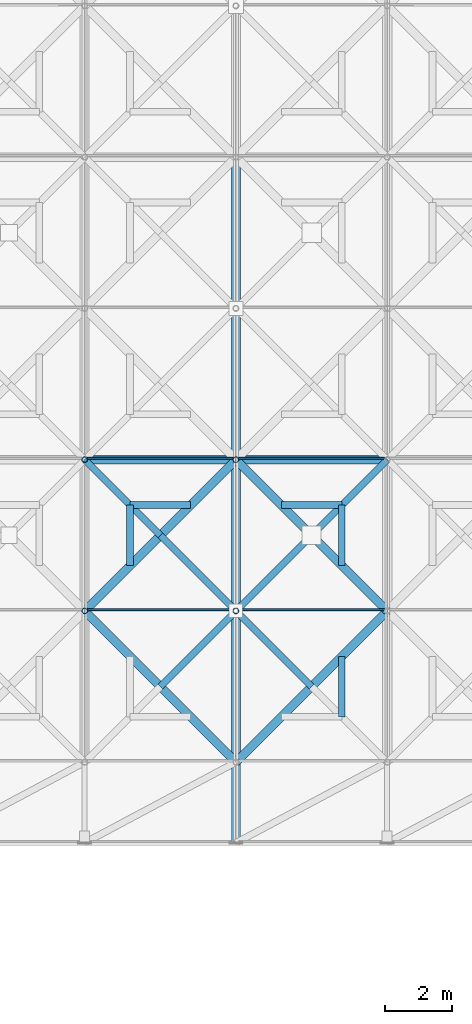
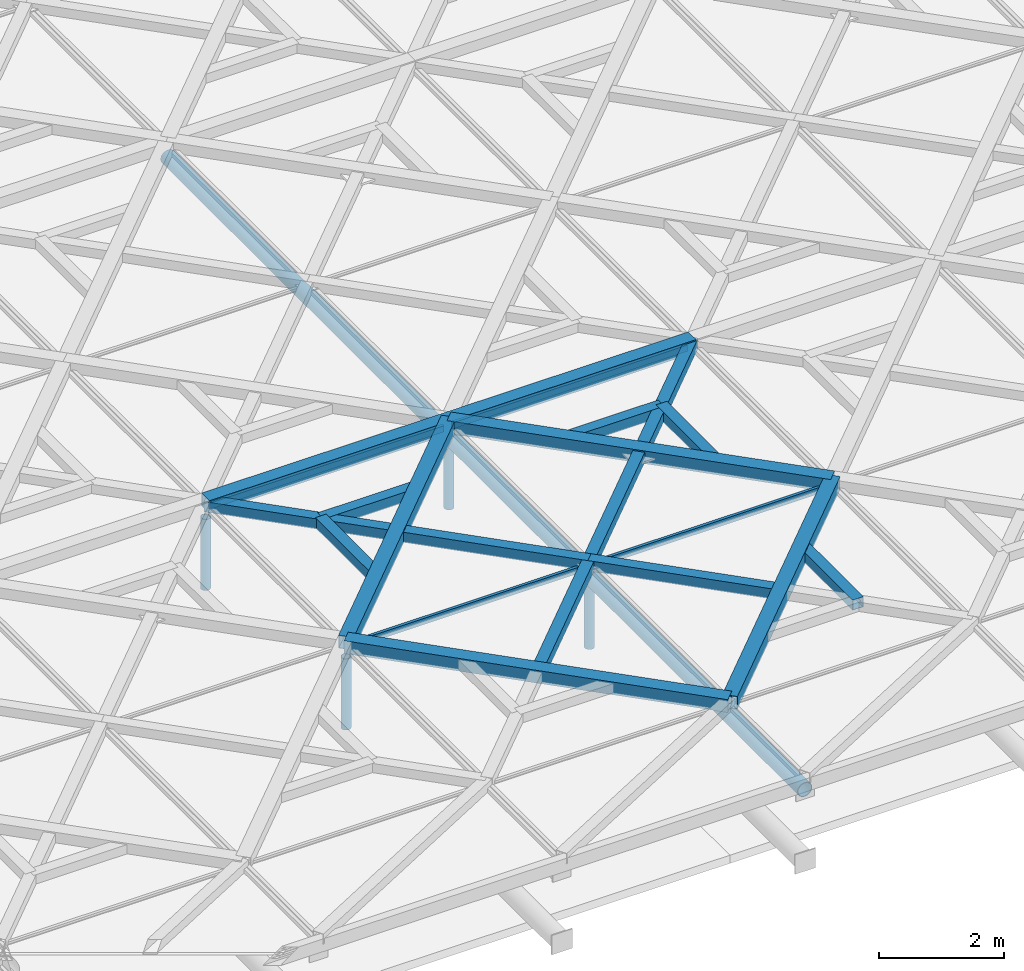
# One storey, part 21 of 80: 24 members, 2 elements without a shape of their own.
"""IFC4 building model written with IfcOpenShell, lengths in metres."""

from ifc_helpers import new_model, si_unit, direction, frame, origin, origin_2d, place, context, subcontext, project, spatial, rectangle, hollow_rectangle, hollow_circle, extrude, material, material_profile, profile_set, type_object, element, aggregate, save


model = new_model("IFC4")

# Units and contexts
model_context = context("Model", 3, precision=1e-05, world=origin(), true_north=direction((0.0, 1.0)))
body_context = subcontext(model_context, "Body", "Model", "MODEL_VIEW")
ifc_project = project(units=[si_unit("LENGTHUNIT", "METRE"), si_unit("AREAUNIT", "SQUARE_METRE"), si_unit("VOLUMEUNIT", "CUBIC_METRE"), si_unit("PLANEANGLEUNIT", "RADIAN"), si_unit("MASSUNIT", "GRAM", prefix="KILO"), si_unit("THERMODYNAMICTEMPERATUREUNIT", "KELVIN"), si_unit("POWERUNIT", "WATT")], contexts=[model_context])

# Site, building, storey
site_placement = place(None, origin())
site = spatial("IfcSite", under=ifc_project, at=site_placement, CompositionType="ELEMENT")
building_placement = place(site_placement, origin())
building = spatial("IfcBuilding", under=site, at=building_placement, Name="Tallowbark Science Centre", CompositionType="ELEMENT")
storey_placement = place(building_placement, frame((0.0, 0.0, 25.949951171875)))
storey = spatial("IfcBuildingStorey", under=building, at=storey_placement, Name="ROOF", CompositionType="ELEMENT", Elevation=25.949951171875)

# Curtain wall, members
ifc_material_1 = material(Name="Blue-Tinted Laminated Low-E Skylight Glass", Category="glass")
curtain_wall_type = type_object("IfcCurtainWallType", Name="CW-SKY-ROOF", PredefinedType="NOTDEFINED", material=ifc_material_1)
curtain_wall_1_placement = place(storey_placement, origin())
curtain_wall_1 = element("IfcCurtainWall", 1, at=curtain_wall_1_placement, inside=storey, type_object=curtain_wall_type, Name="Exhibition Star-Screen Skylight Bay 6", PredefinedType="NOTDEFINED")
ifc_material_2 = material(Name="Anodised Architectural Aluminium Alloy 6063-T6", Category="aluminium")
ifc_material_profile_1 = material_profile(ifc_material_2, rectangle(XDim=0.054931640625, YDim=0.1201171875, at=origin_2d()), Name="ALU55x120")
ifc_profile_set_1 = profile_set([ifc_material_profile_1], Name="Anodised Architectural Aluminium Alloy 6063-T6")
member_type_1 = type_object("IfcMemberType", Name="CWM-SKY-TRN", PredefinedType="USERDEFINED", material=ifc_profile_set_1)
member_1_placement = place(storey_placement, frame((76.580078125, 9.0400390625, 0.35205078125), z_axis=(1.0, 0.0, 0.0), x_axis=(0.0, 1.0, 0.0)))
member_1 = element("IfcMember", 2, at=member_1_placement, type_object=member_type_1, Name="Skylight Bay 6 Transom 3", ObjectType="TRANSOM", PredefinedType="USERDEFINED", context=body_context, shape_type="SweptSolid", body=[
    extrude(rectangle(XDim=0.054931640625, YDim=0.1201171875, at=origin_2d()), origin(), (0.0, 0.0, 1.0), 4.33984375),
])
member_2_placement = place(storey_placement, frame((76.580078125, 13.5400390625, 0.35205078125), z_axis=(1.0, 0.0, 0.0), x_axis=(0.0, 1.0, 0.0)))
member_2 = element("IfcMember", 3, at=member_2_placement, type_object=member_type_1, Name="Skylight Bay 6 Transom 4", ObjectType="TRANSOM", PredefinedType="USERDEFINED", context=body_context, shape_type="SweptSolid", body=[
    extrude(rectangle(XDim=0.054931640625, YDim=0.1201171875, at=origin_2d()), origin(), (0.0, 0.0, 1.0), 4.33984375),
])
aggregate(curtain_wall_1, [member_1, member_2])

curtain_wall_2_placement = place(storey_placement, origin())
curtain_wall_2 = element("IfcCurtainWall", 4, at=curtain_wall_2_placement, inside=storey, type_object=curtain_wall_type, Name="Exhibition Star-Screen Skylight Bay 7", PredefinedType="NOTDEFINED")
member_3_placement = place(storey_placement, frame((81.080078125, 9.0400390625, 0.35205078125), z_axis=(1.0, 0.0, 0.0), x_axis=(0.0, 1.0, 0.0)))
member_3 = element("IfcMember", 5, at=member_3_placement, type_object=member_type_1, Name="Skylight Bay 7 Transom 3", ObjectType="TRANSOM", PredefinedType="USERDEFINED", context=body_context, shape_type="SweptSolid", body=[
    extrude(rectangle(XDim=0.054931640625, YDim=0.1201171875, at=origin_2d()), origin(), (0.0, 0.0, 1.0), 4.33984375),
])
member_4_placement = place(storey_placement, frame((81.080078125, 13.5400390625, 0.35205078125), z_axis=(1.0, 0.0, 0.0), x_axis=(0.0, 1.0, 0.0)))
member_4 = element("IfcMember", 6, at=member_4_placement, type_object=member_type_1, Name="Skylight Bay 7 Transom 4", ObjectType="TRANSOM", PredefinedType="USERDEFINED", context=body_context, shape_type="SweptSolid", body=[
    extrude(rectangle(XDim=0.054931640625, YDim=0.1201171875, at=origin_2d()), origin(), (0.0, 0.0, 1.0), 4.33984375),
])
aggregate(curtain_wall_2, [member_3, member_4])

# Members
ifc_material_3 = material(Name="White Architectural Painted Steel Grade C350L0 (350 MPa)", Category="steel")
ifc_material_profile_2 = material_profile(ifc_material_3, hollow_rectangle(XDim=0.25, YDim=0.25, WallThickness=0.009033203125, at=origin_2d()), Name="250x250x9.0SHS")
ifc_profile_set_2 = profile_set([ifc_material_profile_2], Name="White Architectural Painted Steel Grade C350L0 (350 MPa)")
member_type_2 = type_object("IfcMemberType", Name="SCR-CHD200", PredefinedType="CHORD", material=ifc_profile_set_2)
member_5_placement = place(storey_placement, frame((76.5, 13.5, 0.449951171875), z_axis=(1.0, 0.0, 0.0), x_axis=(0.0, 1.0, 0.0)))
element("IfcMember", 7, at=member_5_placement, inside=storey, type_object=member_type_2, Name="Star Screen Frame Chord TOP-62", PredefinedType="CHORD", context=body_context, shape_type="SweptSolid", body=[
    extrude(hollow_rectangle(XDim=0.25, YDim=0.25, WallThickness=0.009033203125, at=origin_2d()), origin(), (0.0, 0.0, 1.0), 9.0),
])
for number, where, z_axis, x_axis, name in (
    (8, (81.0, 4.5, 0.449951171875), (0.707106781187, 0.707106781187, 0.0), (-0.707106781187, 0.707106781187, 0.0), "Star Screen Octagram Diamond Chord TOP-62-1"),
    (9, (85.5, 9.0, 0.449951171875), (-0.707106781187, 0.707106781187, 0.0), (-0.707106781187, -0.707106781187, 0.0), "Star Screen Octagram Diamond Chord TOP-62-2"),
    (10, (81.0, 13.5, 0.449951171875), (-0.707106781187, -0.707106781187, 0.0), (0.707106781187, -0.707106781187, 0.0), "Star Screen Octagram Diamond Chord TOP-62-3"),
    (11, (76.5, 9.0, 0.449951171875), (0.707106781187, -0.707106781187, 0.0), (0.707106781187, 0.707106781187, 0.0), "Star Screen Octagram Diamond Chord TOP-62-4"),
):
    element("IfcMember", number, at=place(storey_placement, frame(where, z_axis=z_axis, x_axis=x_axis)), inside=storey, type_object=member_type_2, Name=name, PredefinedType="CHORD", context=body_context, shape_type="SweptSolid", body=[
        extrude(hollow_rectangle(XDim=0.25, YDim=0.25, WallThickness=0.009033203125, at=origin_2d()), origin(), (0.0, 0.0, 1.0), 6.364013671875),
    ])
ifc_material_profile_3 = material_profile(ifc_material_3, hollow_rectangle(XDim=0.199951171875, YDim=0.199951171875, WallThickness=0.009033203125, at=origin_2d()), Name="200x200x9.0SHS")
ifc_profile_set_3 = profile_set([ifc_material_profile_3], Name="White Architectural Painted Steel Grade C350L0 (350 MPa)")
member_type_3 = type_object("IfcMemberType", Name="SCR-STAR139", PredefinedType="BRACE", material=ifc_profile_set_3)
member_6_placement = place(storey_placement, frame((78.75, 6.75, 0.449951171875), z_axis=(0.707106781187, 0.707106781187, 0.0), x_axis=(-0.707106781187, 0.707106781187, 0.0)))
element("IfcMember", 12, at=member_6_placement, inside=storey, type_object=member_type_3, Name="Star Screen Continuous X-Diagonal D1M TOP-62", PredefinedType="BRACE", context=body_context, shape_type="SweptSolid", body=[
    extrude(hollow_rectangle(XDim=0.199951171875, YDim=0.199951171875, WallThickness=0.009033203125, at=origin_2d()), origin(), (0.0, 0.0, 1.0), 6.364013671875),
])
for number, where, z_axis, x_axis, name in (
    (13, (83.25, 11.25, 0.449951171875), (0.707106781187, 0.707106781187, 0.0), (-0.707106781187, 0.707106781187, 0.0), "Star Screen Continuous X-Diagonal D1B TOP-62"),
    (14, (76.5, 13.5, 0.449951171875), (0.707106781187, -0.707106781187, 0.0), (0.707106781187, 0.707106781187, 0.0), "Star Screen Split X-Diagonal D2A TOP-62"),
    (15, (78.75, 11.25, 0.449951171875), (0.707106781187, -0.707106781187, 0.0), (0.707106781187, 0.707106781187, 0.0), "Star Screen Split X-Diagonal D2B TOP-62"),
    (16, (81.0, 9.0, 0.449951171875), (0.707106781187, -0.707106781187, 0.0), (0.707106781187, 0.707106781187, 0.0), "Star Screen Split X-Diagonal D2C TOP-62"),
):
    element("IfcMember", number, at=place(storey_placement, frame(where, z_axis=z_axis, x_axis=x_axis)), inside=storey, type_object=member_type_3, Name=name, PredefinedType="BRACE", context=body_context, shape_type="SweptSolid", body=[
        extrude(hollow_rectangle(XDim=0.199951171875, YDim=0.199951171875, WallThickness=0.009033203125, at=origin_2d()), origin(), (0.0, 0.0, 1.0), 3.181884765625),
    ])
ifc_material_profile_4 = material_profile(ifc_material_3, hollow_rectangle(XDim=0.199951171875, YDim=0.199951171875, WallThickness=0.009033203125, at=origin_2d()), Name="200x200x9.0SHS")
ifc_profile_set_4 = profile_set([ifc_material_profile_4], Name="White Architectural Painted Steel Grade C350L0 (350 MPa)")
member_type_4 = type_object("IfcMemberType", Name="SCR-SUB150", PredefinedType="BRACE", material=ifc_profile_set_4)
for number, where, z_axis, x_axis, name in (
    (17, (84.14990234375, 5.85009765625, 0.449951171875), (0.0, 1.0, 0.0), (-1.0, 0.0, 0.0), "Star Screen Octagram Point Ray TOP-62-4"),
    (18, (84.14990234375, 12.14990234375, 0.449951171875), (-1.0, 0.0, 0.0), (0.0, -1.0, 0.0), "Star Screen Octagram Point Ray TOP-62-5"),
    (19, (84.14990234375, 12.14990234375, 0.449951171875), (0.0, -1.0, 0.0), (1.0, 0.0, 0.0), "Star Screen Octagram Point Ray TOP-62-6"),
    (20, (77.85009765625, 12.14990234375, 0.449951171875), (1.0, 0.0, 0.0), (0.0, 1.0, 0.0), "Star Screen Octagram Point Ray TOP-62-7"),
    (21, (77.85009765625, 12.14990234375, 0.449951171875), (0.0, -1.0, 0.0), (1.0, 0.0, 0.0), "Star Screen Octagram Point Ray TOP-62-8"),
):
    element("IfcMember", number, at=place(storey_placement, frame(where, z_axis=z_axis, x_axis=x_axis)), inside=storey, type_object=member_type_4, Name=name, PredefinedType="BRACE", context=body_context, shape_type="SweptSolid", body=[
        extrude(hollow_rectangle(XDim=0.199951171875, YDim=0.199951171875, WallThickness=0.009033203125, at=origin_2d()), origin(), (0.0, 0.0, 1.0), 1.7998046875),
    ])
ifc_material_profile_5 = material_profile(ifc_material_3, hollow_circle(Radius=0.136474609375, WallThickness=0.00927734375, at=origin_2d()), Name="273.1x9.3CHS")
ifc_profile_set_5 = profile_set([ifc_material_profile_5], Name="White Architectural Painted Steel Grade C350L0 (350 MPa)")
member_type_5 = type_object("IfcMemberType", Name="TR-CHD273", PredefinedType="CHORD", material=ifc_profile_set_5)
member_7_placement = place(storey_placement, frame((81.0, 2.10009765625, 0.18994140625), z_axis=(0.0, 1.0, 0.0), x_axis=(-1.0, 0.0, 0.0)))
element("IfcMember", 22, at=member_7_placement, inside=storey, type_object=member_type_5, Name="Exhibition Roof Truss South Top Chord 6", PredefinedType="CHORD", context=body_context, shape_type="SweptSolid", body=[
    extrude(hollow_circle(Radius=0.136474609375, WallThickness=0.00927734375, at=origin_2d()), origin(), (0.0, 0.0, 1.0), 20.39990234375),
])
ifc_material_profile_6 = material_profile(ifc_material_3, hollow_circle(Radius=0.084228515625, WallThickness=0.007080078125, at=origin_2d()), Name="168.3x7.1CHS")
ifc_profile_set_6 = profile_set([ifc_material_profile_6], Name="White Architectural Painted Steel Grade C350L0 (350 MPa)")
member_type_6 = type_object("IfcMemberType", Name="TR-WEB168", PredefinedType="BRACE", material=ifc_profile_set_6)
for number, where, z_axis, x_axis, name in (
    (23, (76.5, 9.0, -1.199951171875), (0.0, 0.0, 1.0), (1.0, 0.0, 0.0), "Exhibition Roof Truss Web 5-9"),
    (24, (76.5, 13.5, -1.199951171875), (0.0, 0.0, 1.0), (1.0, 0.0, 0.0), "Exhibition Roof Truss Web 5-13.5"),
    (25, (81.0, 9.0, -1.199951171875), (0.0, 0.0, 1.0), (1.0, 0.0, 0.0), "Exhibition Roof Truss Web 6-9"),
    (26, (81.0, 13.5, -1.199951171875), (0.0, 0.0, 1.0), (1.0, 0.0, 0.0), "Exhibition Roof Truss Web 6-13.5"),
):
    element("IfcMember", number, at=place(storey_placement, frame(where, z_axis=z_axis, x_axis=x_axis)), inside=storey, type_object=member_type_6, Name=name, PredefinedType="BRACE", context=body_context, shape_type="SweptSolid", body=[
        extrude(hollow_circle(Radius=0.084228515625, WallThickness=0.007080078125, at=origin_2d()), origin(), (0.0, 0.0, 1.0), 1.389892578125),
    ])

save(model, "model.ifc")
